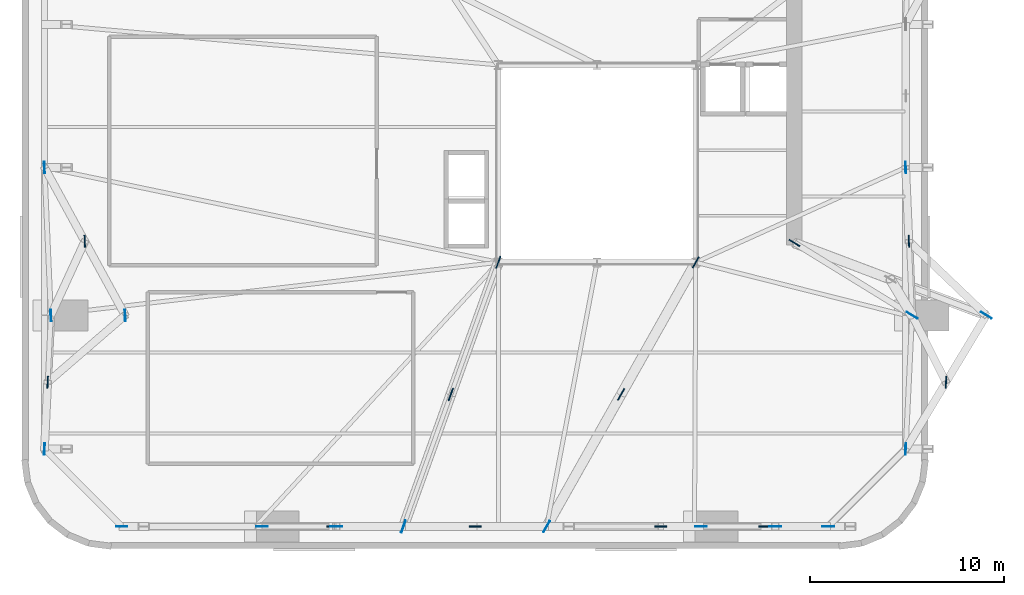
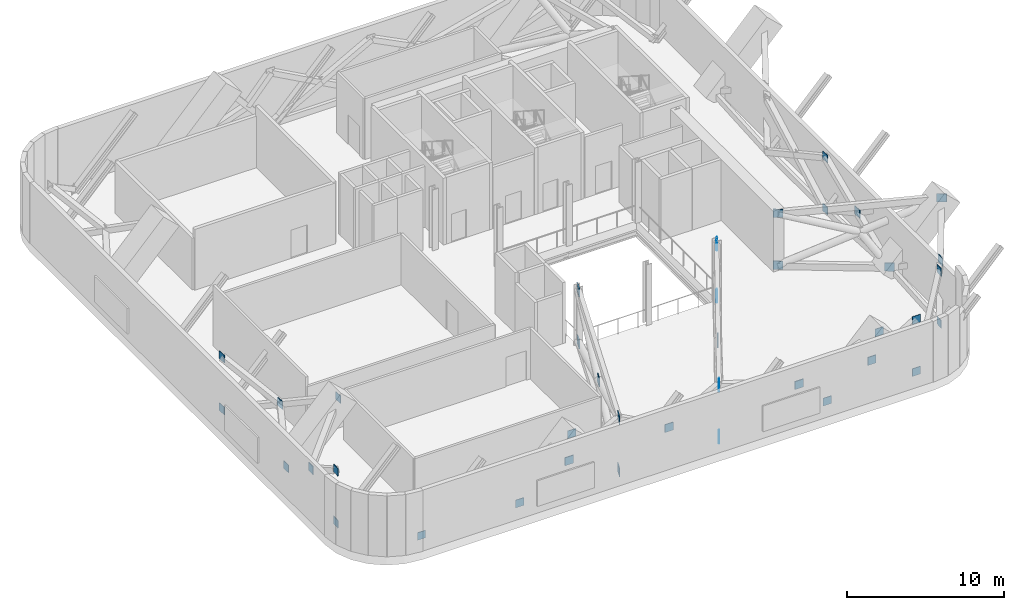
# One storey, part 5 of 12: 39 plates.
"""IFC4 building model written with IfcOpenShell, lengths in metres."""

from ifc_helpers import new_model, si_unit, direction, frame, origin, origin_2d, place, context, subcontext, project, spatial, rectangle, extrude, source, transform, mapped, material, layer, layer_set, type_object, element, save


model = new_model("IFC4")

# Units and contexts
model_context = context("Model", 3, precision=1e-05, world=origin(), true_north=direction((0.0, 1.0)))
body_context = subcontext(model_context, "Body", "Model", "MODEL_VIEW")
ifc_project = project(units=[si_unit("LENGTHUNIT", "METRE"), si_unit("AREAUNIT", "SQUARE_METRE"), si_unit("VOLUMEUNIT", "CUBIC_METRE"), si_unit("PLANEANGLEUNIT", "RADIAN"), si_unit("MASSUNIT", "GRAM", prefix="KILO")], contexts=[model_context])

# Site, building, storey
site_placement = place(None, origin())
site = spatial("IfcSite", under=ifc_project, at=site_placement, CompositionType="ELEMENT")
building_placement = place(site_placement, origin())
building = spatial("IfcBuilding", under=site, at=building_placement, Name="Vardaveli Station Tower", CompositionType="ELEMENT")
storey_placement = place(building_placement, frame((0.0, 0.0, 166.800048828125)))
storey = spatial("IfcBuildingStorey", under=building, at=storey_placement, Name="L43", CompositionType="ELEMENT", Elevation=166.800048828125)

# Plates
ifc_material = material(Name="Structural steel S460M", Category="steel")
ifc_layer_1 = layer(ifc_material, 0.06005859375, Name="Structural steel S460M")
ifc_layer_set_1 = layer_set([ifc_layer_1], Name="Structural steel S460M")
plate_type_1 = type_object("IfcPlateType", Name="PLT-GUSSET-60", PredefinedType="USERDEFINED", material=ifc_layer_set_1)
shared_shape_1 = source(origin(), body_context, "Body", "SweptSolid", [
    extrude(rectangle(XDim=0.679931640625, YDim=0.06005859375, at=origin_2d()), origin(), (0.0, 0.0, 1.0), 0.679931640625),
])
for number, where, z_axis, x_axis, name in (
    (1, (28.75, 9.77490234375, 2.03515625), (0.0, 0.0, 1.0), (-0.337916718003, -0.941176015256, 0.0), "PLT-L43-OA1-X"),
    (2, (37.550048828125, 9.77490234375, 2.03515625), (0.0, 0.0, 1.0), (-0.491359852787, -0.870956655104, 0.0), "PLT-L43-OA2-X"),
):
    element("IfcPlate", number, at=place(storey_placement, frame(where, z_axis=z_axis, x_axis=x_axis)), inside=storey, type_object=plate_type_1, Name=name, ObjectType="GUSSET PLATE", PredefinedType="USERDEFINED", context=body_context, shape_type="MappedRepresentation", body=[
        mapped(shared_shape_1, transform((0.0, 0.0, 0.0), scale=1.0)),
    ])
shared_shape_2 = source(origin(), body_context, "Body", "SweptSolid", [
    extrude(rectangle(XDim=0.64990234375, YDim=0.06005859375, at=origin_2d()), origin(), (0.0, 0.0, 1.0), 0.64990234375),
])
for number, where, z_axis, x_axis, name in (
    (3, (31.199951171875, 16.60009765625, 0.02490234375), (0.0, 0.0, 1.0), (-0.337916718003, -0.941176015256, 0.0), "PLT-L43-OA1-CB"),
    (4, (31.199951171875, 16.60009765625, 4.074951171875), (0.0, 0.0, 1.0), (-0.337916718003, -0.941176015256, 0.0), "PLT-L43-OA1-CT"),
    (5, (41.39990234375, 16.60009765625, 0.02490234375), (0.0, 0.0, 1.0), (-0.491359852787, -0.870956655104, 0.0), "PLT-L43-OA2-CB"),
    (6, (41.39990234375, 16.60009765625, 4.074951171875), (0.0, 0.0, 1.0), (-0.491359852787, -0.870956655104, 0.0), "PLT-L43-OA2-CT"),
    (7, (46.5, 17.60009765625, 0.02490234375), (0.0, 0.0, 1.0), (0.851818373963, -0.523837243597, 0.0), "PLT-L43-OA3-CB"),
    (8, (46.5, 17.60009765625, 4.074951171875), (0.0, 0.0, 1.0), (0.851818373963, -0.523837243597, 0.0), "PLT-L43-OA3-CT"),
):
    element("IfcPlate", number, at=place(storey_placement, frame(where, z_axis=z_axis, x_axis=x_axis)), inside=storey, type_object=plate_type_1, Name=name, ObjectType="GUSSET PLATE", PredefinedType="USERDEFINED", context=body_context, shape_type="MappedRepresentation", body=[
        mapped(shared_shape_2, transform((0.0, 0.0, 0.0), scale=1.0)),
    ])
ifc_layer_2 = layer(ifc_material, 0.0400390625, Name="Structural steel S460M")
ifc_layer_set_2 = layer_set([ifc_layer_2], Name="Structural steel S460M")
plate_type_2 = type_object("IfcPlateType", Name="PLT-CAP-40", PredefinedType="USERDEFINED", material=ifc_layer_set_2)
shared_shape_3 = source(origin(), body_context, "Body", "SweptSolid", [
    extrude(rectangle(XDim=0.64990234375, YDim=0.0400390625, at=origin_2d()), origin(), (0.0, 0.0, 1.0), 0.64990234375),
])
for number, where, z_axis, x_axis, name in (
    (9, (26.300048828125, 2.949951171875, 0.02490234375), (0.0, 0.0, 1.0), (-0.337916718003, -0.941176015256, 0.0), "PLT-L43-OA1-MB"),
    (10, (26.300048828125, 2.949951171875, 4.074951171875), (0.0, 0.0, 1.0), (-0.337916718003, -0.941176015256, 0.0), "PLT-L43-OA1-MT"),
    (11, (33.699951171875, 2.949951171875, 0.02490234375), (0.0, 0.0, 1.0), (-0.491359852787, -0.870956655104, 0.0), "PLT-L43-OA2-MB"),
    (12, (33.699951171875, 2.949951171875, 4.074951171875), (0.0, 0.0, 1.0), (-0.491359852787, -0.870956655104, 0.0), "PLT-L43-OA2-MT"),
    (13, (52.58154296875, 13.860107421875, 0.02490234375), (0.0, 0.0, 1.0), (0.851818373963, -0.523837243597, 0.0), "PLT-L43-OA3-MB"),
    (14, (56.41845703125, 13.860107421875, 4.074951171875), (0.0, 0.0, 1.0), (0.851818373963, -0.523837243597, 0.0), "PLT-L43-OA3-MT"),
):
    element("IfcPlate", number, at=place(storey_placement, frame(where, z_axis=z_axis, x_axis=x_axis)), inside=storey, type_object=plate_type_2, Name=name, ObjectType="GUSSET PLATE", PredefinedType="USERDEFINED", context=body_context, shape_type="MappedRepresentation", body=[
        mapped(shared_shape_3, transform((0.0, 0.0, 0.0), scale=1.0)),
    ])
shared_shape_4 = source(origin(), body_context, "Body", "SweptSolid", [
    extrude(rectangle(XDim=0.6201171875, YDim=0.06005859375, at=origin_2d()), origin(), (0.0, 0.0, 1.0), 0.6201171875),
])
for number, where, z_axis, x_axis, name in (
    (15, (22.645751953125, 2.949951171875, 2.06494140625), (0.0, 0.0, 1.0), (1.0, 0.0, 0.0), "PLT-L43-BLTX-01"),
    (16, (30.0, 2.949951171875, 2.06494140625), (0.0, 0.0, 1.0), (1.0, 0.0, 0.0), "PLT-L43-BLTX-02"),
    (17, (39.604248046875, 2.949951171875, 2.06494140625), (0.0, 0.0, 1.0), (1.0, 0.0, 0.0), "PLT-L43-BLTX-03"),
    (18, (44.960693359375, 2.949951171875, 2.06494140625), (0.0, 0.0, 1.0), (1.0, 0.0, 0.0), "PLT-L43-BLTX-04"),
    (19, (54.334228515625, 10.405029296875, 2.06494140625), (0.0, 0.0, 1.0), (0.047978128521, 0.998848386485, 0.0), "PLT-L43-BLTX-05"),
    (20, (52.415771484375, 17.679931640625, 2.06494140625), (0.0, 0.0, 1.0), (-0.043445019893, 0.999055819385, 0.0), "PLT-L43-BLTX-06"),
    (21, (9.834228515625, 17.679931640625, 2.06494140625), (0.0, 0.0, 1.0), (0.043445019893, -0.999055819385, 0.0), "PLT-L43-BLTX-14"),
    (22, (7.915771484375, 10.405029296875, 2.06494140625), (0.0, 0.0, 1.0), (-0.047978128521, -0.998848386485, 0.0), "PLT-L43-BLTX-15"),
):
    element("IfcPlate", number, at=place(storey_placement, frame(where, z_axis=z_axis, x_axis=x_axis)), inside=storey, type_object=plate_type_1, Name=name, ObjectType="GUSSET PLATE", PredefinedType="USERDEFINED", context=body_context, shape_type="MappedRepresentation", body=[
        mapped(shared_shape_4, transform((0.0, 0.0, 0.0), scale=1.0)),
    ])
shared_shape_5 = source(origin(), body_context, "Body", "SweptSolid", [
    extrude(rectangle(XDim=0.60009765625, YDim=0.0400390625, at=origin_2d()), origin(), (0.0, 0.0, 1.0), 0.60009765625),
])
for number, where, z_axis, x_axis, name in (
    (23, (18.99169921875, 2.949951171875, 0.0498046875), (0.0, 0.0, 1.0), (1.0, 0.0, 0.0), "PLT-L43-BLTAB-01"),
    (24, (22.828369140625, 2.949951171875, 4.099853515625), (0.0, 0.0, 1.0), (1.0, 0.0, 0.0), "PLT-L43-BLTAT-01"),
    (25, (41.671630859375, 2.949951171875, 0.0498046875), (0.0, 0.0, 1.0), (1.0, 0.0, 0.0), "PLT-L43-BLTBB-03"),
    (26, (45.50830078125, 2.949951171875, 4.099853515625), (0.0, 0.0, 1.0), (1.0, 0.0, 0.0), "PLT-L43-BLTBT-03"),
    (27, (48.25, 2.949951171875, 0.0498046875), (0.0, 0.0, 1.0), (1.0, 0.0, 0.0), "PLT-L43-BLTBB-04"),
    (28, (48.25, 2.949951171875, 4.099853515625), (0.0, 0.0, 1.0), (1.0, 0.0, 0.0), "PLT-L43-BLTBT-04"),
    (29, (52.25, 6.949951171875, 0.0498046875), (0.0, 0.0, 1.0), (0.047978128521, 0.998848386485, 0.0), "PLT-L43-BLTAB-05"),
    (30, (52.25, 6.949951171875, 4.099853515625), (0.0, 0.0, 1.0), (0.047978128521, 0.998848386485, 0.0), "PLT-L43-BLTAT-05"),
    (31, (52.25, 21.5, 0.0498046875), (0.0, 0.0, 1.0), (-0.043445019893, 0.999055819385, 0.0), "PLT-L43-BLTBB-06"),
    (32, (52.25, 21.5, 4.099853515625), (0.0, 0.0, 1.0), (-0.043445019893, 0.999055819385, 0.0), "PLT-L43-BLTBT-06"),
    (33, (7.75, 21.5, 0.0498046875), (0.0, 0.0, 1.0), (0.043445019893, -0.999055819385, 0.0), "PLT-L43-BLTAB-14"),
    (34, (8.08154296875, 13.860107421875, 0.0498046875), (0.0, 0.0, 1.0), (0.043445019893, -0.999055819385, 0.0), "PLT-L43-BLTBB-14"),
    (35, (7.75, 21.5, 4.099853515625), (0.0, 0.0, 1.0), (0.043445019893, -0.999055819385, 0.0), "PLT-L43-BLTAT-14"),
    (36, (11.91845703125, 13.860107421875, 4.099853515625), (0.0, 0.0, 1.0), (0.043445019893, -0.999055819385, 0.0), "PLT-L43-BLTBT-14"),
    (37, (7.75, 6.949951171875, 0.0498046875), (0.0, 0.0, 1.0), (-0.047978128521, -0.998848386485, 0.0), "PLT-L43-BLTBB-15"),
    (38, (7.75, 6.949951171875, 4.099853515625), (0.0, 0.0, 1.0), (-0.047978128521, -0.998848386485, 0.0), "PLT-L43-BLTBT-15"),
):
    element("IfcPlate", number, at=place(storey_placement, frame(where, z_axis=z_axis, x_axis=x_axis)), inside=storey, type_object=plate_type_2, Name=name, ObjectType="GUSSET PLATE", PredefinedType="USERDEFINED", context=body_context, shape_type="MappedRepresentation", body=[
        mapped(shared_shape_5, transform((0.0, 0.0, 0.0), scale=1.0)),
    ])
shared_shape_6 = source(origin(), body_context, "Body", "SweptSolid", [
    extrude(rectangle(XDim=0.580078125, YDim=0.0400390625, at=origin_2d()), origin(), (0.0, 0.0, 1.0), 0.580078125),
])
plate_placement = place(storey_placement, frame((11.75, 2.949951171875, 0.059814453125), z_axis=(0.0, 0.0, 1.0), x_axis=(1.0, 0.0, 0.0)))
element("IfcPlate", 39, at=plate_placement, inside=storey, type_object=plate_type_2, Name="PLT-L43-STRB-1", ObjectType="GUSSET PLATE", PredefinedType="USERDEFINED", context=body_context, shape_type="MappedRepresentation", body=[
    mapped(shared_shape_6, transform((0.0, 0.0, 0.0), scale=1.0)),
])

save(model, "model.ifc")
